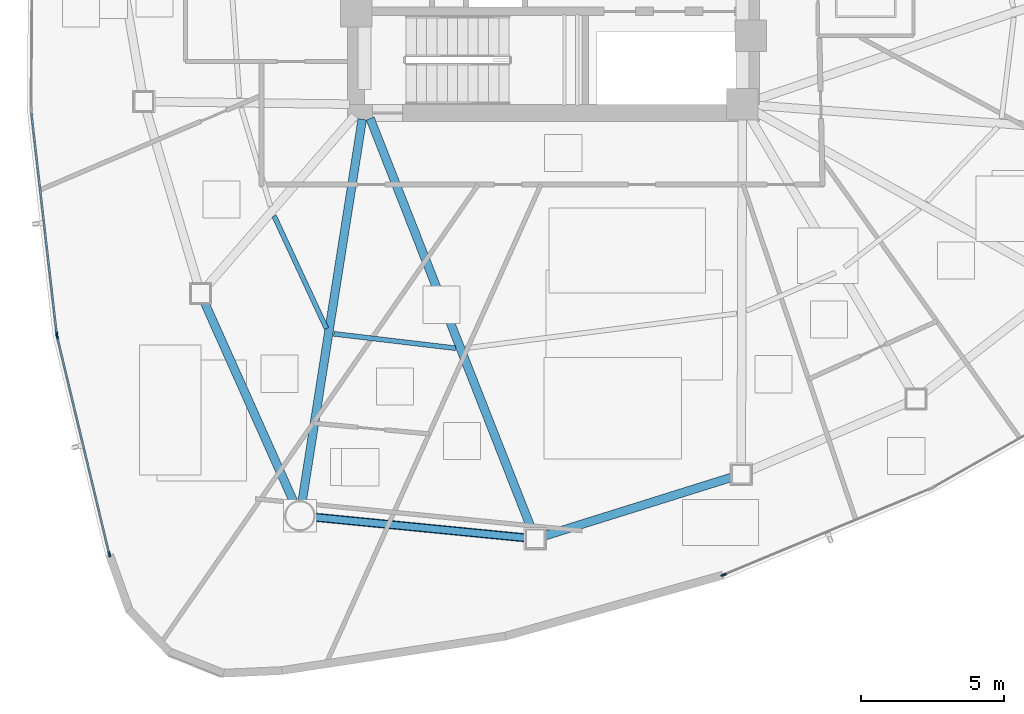
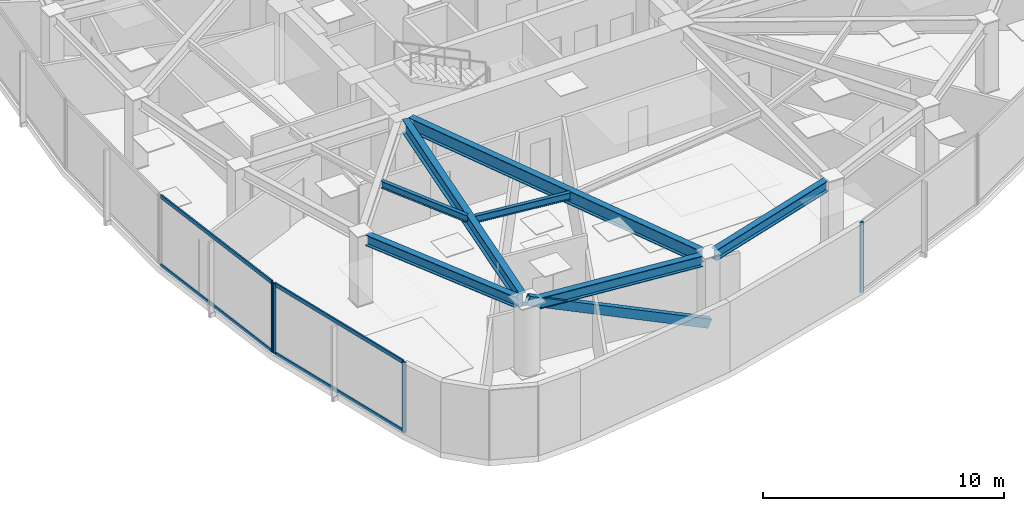
# One storey, part 2 of 17: 9 members, 7 beams, 3 elements without a shape of their own.
"""IFC4 building model written with IfcOpenShell, lengths in metres."""

from ifc_helpers import new_model, si_unit, direction, frame, origin, origin_2d, place, context, subcontext, project, spatial, hollow_rectangle, i_section, extrude, source, transform, mapped, material, layer, layer_set, material_profile, profile_set, type_object, type_shapes, element, aggregate, save


model = new_model("IFC4")

# Units and contexts
model_context = context("Model", 3, precision=1e-05, world=origin(), true_north=direction((0.0, 1.0)))
body_context = subcontext(model_context, "Body", "Model", "MODEL_VIEW")
ifc_project = project(units=[si_unit("LENGTHUNIT", "METRE"), si_unit("AREAUNIT", "SQUARE_METRE"), si_unit("VOLUMEUNIT", "CUBIC_METRE"), si_unit("PLANEANGLEUNIT", "RADIAN"), si_unit("MASSUNIT", "GRAM", prefix="KILO")], contexts=[model_context])

# Site, building, storey
site_placement = place(None, origin())
site = spatial("IfcSite", under=ifc_project, at=site_placement, CompositionType="ELEMENT")
building_placement = place(site_placement, origin())
building = spatial("IfcBuilding", under=site, at=building_placement, Name="Tavelor Broadcast Tower", CompositionType="ELEMENT")
storey_placement = place(building_placement, frame((0.0, 0.0, 142.550048828125)))
storey = spatial("IfcBuildingStorey", under=building, at=storey_placement, Name="L33", CompositionType="ELEMENT", Elevation=142.550048828125)

# Beams
ifc_material_1 = material(Name="Steel S355", Category="steel")
ifc_material_profile_1 = material_profile(ifc_material_1, i_section(OverallWidth=0.169921875, OverallDepth=0.360107421875, WebThickness=0.008056640625, FlangeThickness=0.0126953125, at=origin_2d()), Name="IPE 360")
ifc_profile_set_1 = profile_set([ifc_material_profile_1], Name="Steel S355")
beam_type_1 = type_object("IfcBeamType", Name="Composite Floor Joist T3 IPE 360", PredefinedType="JOIST", material=ifc_profile_set_1)
beam_1_placement = place(storey_placement, frame((40.237548828125, 34.901123046875, 3.369873046875), z_axis=(0.421480014114, -0.906837690936, 0.0), x_axis=(0.906837690936, 0.421480014114, 0.0)))
element("IfcBeam", 1, at=beam_1_placement, inside=storey, type_object=beam_type_1, Name="L33 Secondary Composite Floor Joist 06", PredefinedType="JOIST", context=body_context, shape_type="SweptSolid", body=[
    extrude(i_section(OverallWidth=0.169921875, OverallDepth=0.360107421875, WebThickness=0.008056640625, FlangeThickness=0.0126953125, at=origin_2d()), origin(), (0.0, 0.0, 1.0), 4.337890625),
])
beam_2_placement = place(storey_placement, frame((42.32177734375, 30.781982421875, 3.369873046875), z_axis=(0.993083165759, -0.117413056713, 0.0), x_axis=(0.117413056713, 0.993083165759, 0.0)))
element("IfcBeam", 2, at=beam_2_placement, inside=storey, type_object=beam_type_1, Name="L33 Secondary Composite Floor Joist 07", PredefinedType="JOIST", context=body_context, shape_type="SweptSolid", body=[
    extrude(i_section(OverallWidth=0.169921875, OverallDepth=0.360107421875, WebThickness=0.008056640625, FlangeThickness=0.0126953125, at=origin_2d()), origin(), (0.0, 0.0, 1.0), 4.285400390625),
])
ifc_material_profile_2 = material_profile(ifc_material_1, i_section(OverallWidth=0.300048828125, OverallDepth=0.550048828125, WebThickness=0.014892578125, FlangeThickness=0.029052734375, at=origin_2d()), Name="HEB 550")
ifc_profile_set_2 = profile_set([ifc_material_profile_2], Name="Steel S355")
beam_type_2 = type_object("IfcBeamType", Name="Perimeter Spandrel Beam T3 HEB 550", PredefinedType="SPANDREL", material=ifc_profile_set_2)
beam_3_placement = place(storey_placement, frame((37.80517578125, 31.883544921875, 3.27490234375), z_axis=(0.407977377403, -0.912992036946, 0.0), x_axis=(0.912992036946, 0.407977377403, 0.0)))
element("IfcBeam", 3, at=beam_3_placement, inside=storey, type_object=beam_type_2, Name="L33 Framed-Tube Ring Spandrel 06", PredefinedType="SPANDREL", context=body_context, shape_type="SweptSolid", body=[
    extrude(i_section(OverallWidth=0.300048828125, OverallDepth=0.550048828125, WebThickness=0.014892578125, FlangeThickness=0.029052734375, at=origin_2d()), origin(), (0.0, 0.0, 1.0), 7.658447265625),
])
beam_4_placement = place(storey_placement, frame((41.6484375, 24.373779296875, 3.27490234375), z_axis=(0.995250868203, -0.097343255237, 0.0), x_axis=(0.097343255237, 0.995250868203, 0.0)))
element("IfcBeam", 4, at=beam_4_placement, inside=storey, type_object=beam_type_2, Name="L33 Framed-Tube Ring Spandrel 07", PredefinedType="SPANDREL", context=body_context, shape_type="SweptSolid", body=[
    extrude(i_section(OverallWidth=0.300048828125, OverallDepth=0.550048828125, WebThickness=0.014892578125, FlangeThickness=0.029052734375, at=origin_2d()), origin(), (0.0, 0.0, 1.0), 7.418701171875),
])
beam_5_placement = place(storey_placement, frame((49.68701171875, 23.719482421875, 3.27490234375), z_axis=(0.954271632066, 0.29894088418, 0.0), x_axis=(-0.29894088418, 0.954271632066, 0.0)))
element("IfcBeam", 5, at=beam_5_placement, inside=storey, type_object=beam_type_2, Name="L33 Framed-Tube Ring Spandrel 08", PredefinedType="SPANDREL", context=body_context, shape_type="SweptSolid", body=[
    extrude(i_section(OverallWidth=0.300048828125, OverallDepth=0.550048828125, WebThickness=0.014892578125, FlangeThickness=0.029052734375, at=origin_2d()), origin(), (0.0, 0.0, 1.0), 6.867431640625),
])

# Member
ifc_material_profile_3 = material_profile(ifc_material_1, hollow_rectangle(XDim=0.25, YDim=0.449951171875, WallThickness=0.02001953125, at=origin_2d()), Name="RHS 450x250x20")
ifc_profile_set_3 = profile_set([ifc_material_profile_3], Name="Steel S355")
member_type_1 = type_object("IfcMemberType", Name="Perimeter Tube Brace T3 RHS 450x250x20", PredefinedType="BRACE", material=ifc_profile_set_3)
member_1_placement = place(storey_placement, frame((49.366455078125, 23.618896484375, 0.0), z_axis=(-0.914496364203, 0.089466025126, 0.394578547577), x_axis=(-0.097366094377, -0.995248634094, 0.0)))
element("IfcMember", 6, at=member_1_placement, inside=storey, type_object=member_type_1, Name="L33 Corner Tube Diagonal Brace 2", PredefinedType="BRACE", context=body_context, shape_type="SweptSolid", body=[
    extrude(hollow_rectangle(XDim=0.25, YDim=0.449951171875, WallThickness=0.02001953125, at=origin_2d()), origin(), (0.0, 0.0, 1.0), 8.9970703125),
])

# Beams
ifc_material_profile_4 = material_profile(ifc_material_1, i_section(OverallWidth=0.300048828125, OverallDepth=0.68994140625, WebThickness=0.014404296875, FlangeThickness=0.027099609375, at=origin_2d()), Name="HEA 700")
ifc_profile_set_4 = profile_set([ifc_material_profile_4], Name="Steel S355")
beam_type_3 = type_object("IfcBeamType", Name="Radial Floor Girder T3 HEA 700", PredefinedType="BEAM", material=ifc_profile_set_4)
beam_6_placement = place(storey_placement, frame((43.318115234375, 38.2783203125, 3.204833984375), z_axis=(-0.1553975273, -0.987852017515, 0.0), x_axis=(0.987852017515, -0.1553975273, 0.0)))
element("IfcBeam", 7, at=beam_6_placement, inside=storey, type_object=beam_type_3, Name="L33 Radial Primary Floor Girder 07", PredefinedType="BEAM", context=body_context, shape_type="SweptSolid", body=[
    extrude(i_section(OverallWidth=0.300048828125, OverallDepth=0.68994140625, WebThickness=0.014404296875, FlangeThickness=0.027099609375, at=origin_2d()), origin(), (0.0, 0.0, 1.0), 13.5126953125),
])
beam_7_placement = place(storey_placement, frame((43.593017578125, 38.30859375, 3.204833984375), z_axis=(0.365795149989, -0.930695389612, 0.0), x_axis=(0.930695389612, 0.365795149989, 0.0)))
element("IfcBeam", 8, at=beam_7_placement, inside=storey, type_object=beam_type_3, Name="L33 Radial Primary Floor Girder 08", PredefinedType="BEAM", context=body_context, shape_type="SweptSolid", body=[
    extrude(i_section(OverallWidth=0.300048828125, OverallDepth=0.68994140625, WebThickness=0.014404296875, FlangeThickness=0.027099609375, at=origin_2d()), origin(), (0.0, 0.0, 1.0), 15.447509765625),
])

# Curtain wall, member
ifc_material_2 = material(Name="Architectural Anodized Aluminium", Category="aluminium")
ifc_layer = layer(ifc_material_2, 0.18994140625)
ifc_layer_set = layer_set([ifc_layer], Name="Architectural Anodized Aluminium")
curtain_wall_type = type_object("IfcCurtainWallType", Name="Tower Mid-Zone Acoustic Curtain Wall CW03", PredefinedType="NOTDEFINED", material=ifc_layer_set)
curtain_wall_1_placement = place(storey_placement, origin())
curtain_wall_1 = element("IfcCurtainWall", 9, at=curtain_wall_1_placement, inside=storey, type_object=curtain_wall_type, Name="L33 Curtain Wall CW03 Run 339", PredefinedType="NOTDEFINED")
ifc_material_profile_5 = material_profile(ifc_material_2, hollow_rectangle(XDim=0.068115234375, YDim=0.18994140625, WallThickness=0.02197265625, at=origin_2d()), Name="RHS 68x190x22")
ifc_profile_set_5 = profile_set([ifc_material_profile_5], Name="Architectural Anodized Aluminium")
member_type_2 = type_object("IfcMemberType", Name="CW03 Extruded Aluminium Mullion 68x190", PredefinedType="MULLION", material=ifc_profile_set_5)
shared_shape_1 = source(origin(), body_context, "Body", "SweptSolid", [
    extrude(hollow_rectangle(XDim=0.068115234375, YDim=0.18994140625, WallThickness=0.02197265625, at=origin_2d()), origin(), (0.0, 0.0, 1.0), 3.550048828125),
])
type_shapes(member_type_2, [shared_shape_1])
member_2_placement = place(storey_placement, frame((32.641357421875, 30.78125, 0.0), z_axis=(0.0, 0.0, 1.0), x_axis=(0.993520670632, 0.11365155972, 0.0)))
member_2 = element("IfcMember", 10, at=member_2_placement, type_object=member_type_2, Name="CW03 mullion 2", PredefinedType="MULLION", context=body_context, shape_type="MappedRepresentation", body=[
    mapped(shared_shape_1, transform((0.0, 0.0, 0.0), scale=1.0)),
])

# Curtain wall, members
curtain_wall_2_placement = place(storey_placement, origin())
curtain_wall_2 = element("IfcCurtainWall", 11, at=curtain_wall_2_placement, inside=storey, type_object=curtain_wall_type, Name="L33 Curtain Wall CW03 Run 340", PredefinedType="NOTDEFINED")
member_3_placement = place(storey_placement, frame((32.658447265625, 30.684814453125, 0.0), z_axis=(0.0, 0.0, 1.0), x_axis=(0.972466071307, 0.233044502523, 0.0)))
member_3 = element("IfcMember", 12, at=member_3_placement, type_object=member_type_2, Name="CW03 mullion 1", PredefinedType="MULLION", context=body_context, shape_type="MappedRepresentation", body=[
    mapped(shared_shape_1, transform((0.0, 0.0, 0.0), scale=1.0)),
])
member_4_placement = place(storey_placement, frame((34.48095703125, 23.080078125, 0.0), z_axis=(0.0, 0.0, 1.0), x_axis=(0.972466071307, 0.233044502523, 0.0)))
member_4 = element("IfcMember", 13, at=member_4_placement, type_object=member_type_2, Name="CW03 mullion 2", PredefinedType="MULLION", context=body_context, shape_type="MappedRepresentation", body=[
    mapped(shared_shape_1, transform((0.0, 0.0, 0.0), scale=1.0)),
])

# Curtain wall, member
curtain_wall_3_placement = place(storey_placement, origin())
curtain_wall_3 = element("IfcCurtainWall", 14, at=curtain_wall_3_placement, inside=storey, type_object=curtain_wall_type, Name="L33 Curtain Wall CW03 Run 341", PredefinedType="NOTDEFINED")
member_5_placement = place(storey_placement, frame((55.94677734375, 22.357421875, 0.0), z_axis=(0.0, 0.0, 1.0), x_axis=(-0.384700008337, 0.92304165864, 0.0)))
member_5 = element("IfcMember", 15, at=member_5_placement, type_object=member_type_2, Name="CW03 mullion 1", PredefinedType="MULLION", context=body_context, shape_type="MappedRepresentation", body=[
    mapped(shared_shape_1, transform((0.0, 0.0, 0.0), scale=1.0)),
])
aggregate(curtain_wall_3, [member_5])

# Member
ifc_material_profile_6 = material_profile(ifc_material_2, hollow_rectangle(XDim=0.068115234375, YDim=0.18994140625, WallThickness=0.02197265625, at=origin_2d()), Name="RHS 68x190x22")
ifc_profile_set_6 = profile_set([ifc_material_profile_6], Name="Architectural Anodized Aluminium")
member_type_3 = type_object("IfcMemberType", Name="CW03 Extruded Aluminium Transom 68x190", PredefinedType="USERDEFINED", material=ifc_profile_set_6)
shared_shape_2 = source(origin(), body_context, "Body", "SweptSolid", [
    extrude(hollow_rectangle(XDim=0.068115234375, YDim=0.18994140625, WallThickness=0.02197265625, at=origin_2d()), origin(), (0.0, 0.0, 1.0), 7.736328125),
])
member_6_placement = place(storey_placement, frame((31.75830078125, 38.501220703125, 0.033935546875), z_axis=(0.113638262307, -0.99352219167, 0.0), x_axis=(0.99352219167, 0.113638262307, 0.0)))
member_6 = element("IfcMember", 16, at=member_6_placement, type_object=member_type_3, Name="CW03 transom 1.1", ObjectType="TRANSOM", PredefinedType="USERDEFINED", context=body_context, shape_type="MappedRepresentation", body=[
    mapped(shared_shape_2, transform((0.0, 0.0, 0.0), scale=1.0)),
])

member_7_placement = place(storey_placement, frame((31.75830078125, 38.501220703125, 3.515869140625), z_axis=(0.113638262307, -0.99352219167, 0.0), x_axis=(0.99352219167, 0.113638262307, 0.0)))
member_7 = element("IfcMember", 17, at=member_7_placement, type_object=member_type_3, Name="CW03 transom 1.2", ObjectType="TRANSOM", PredefinedType="USERDEFINED", context=body_context, shape_type="MappedRepresentation", body=[
    mapped(shared_shape_2, transform((0.0, 0.0, 0.0), scale=1.0)),
])

aggregate(curtain_wall_1, [member_2, member_6, member_7])

shared_shape_3 = source(origin(), body_context, "Body", "SweptSolid", [
    extrude(hollow_rectangle(XDim=0.068115234375, YDim=0.18994140625, WallThickness=0.02197265625, at=origin_2d()), origin(), (0.0, 0.0, 1.0), 7.752197265625),
])
type_shapes(member_type_3, [shared_shape_2, shared_shape_3])
member_8_placement = place(storey_placement, frame((32.666259765625, 30.65185546875, 0.033935546875), z_axis=(0.233046576929, -0.972465574188, 0.0), x_axis=(0.972465574188, 0.233046576929, 0.0)))
member_8 = element("IfcMember", 18, at=member_8_placement, type_object=member_type_3, Name="CW03 transom 1.1", ObjectType="TRANSOM", PredefinedType="USERDEFINED", context=body_context, shape_type="MappedRepresentation", body=[
    mapped(shared_shape_3, transform((0.0, 0.0, 0.0), scale=1.0)),
])

member_9_placement = place(storey_placement, frame((32.666259765625, 30.65185546875, 3.515869140625), z_axis=(0.233046576929, -0.972465574188, 0.0), x_axis=(0.972465574188, 0.233046576929, 0.0)))
member_9 = element("IfcMember", 19, at=member_9_placement, type_object=member_type_3, Name="CW03 transom 1.2", ObjectType="TRANSOM", PredefinedType="USERDEFINED", context=body_context, shape_type="MappedRepresentation", body=[
    mapped(shared_shape_3, transform((0.0, 0.0, 0.0), scale=1.0)),
])

aggregate(curtain_wall_2, [member_3, member_4, member_8, member_9])

save(model, "model.ifc")
